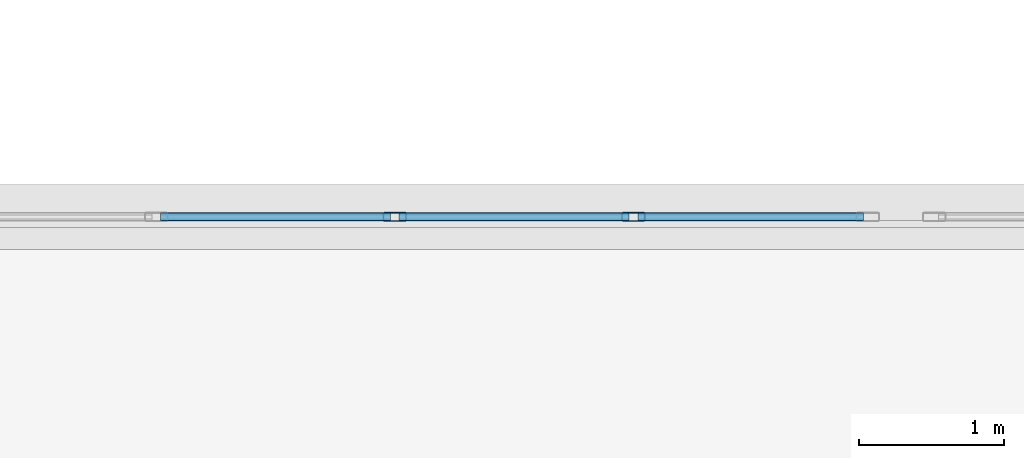
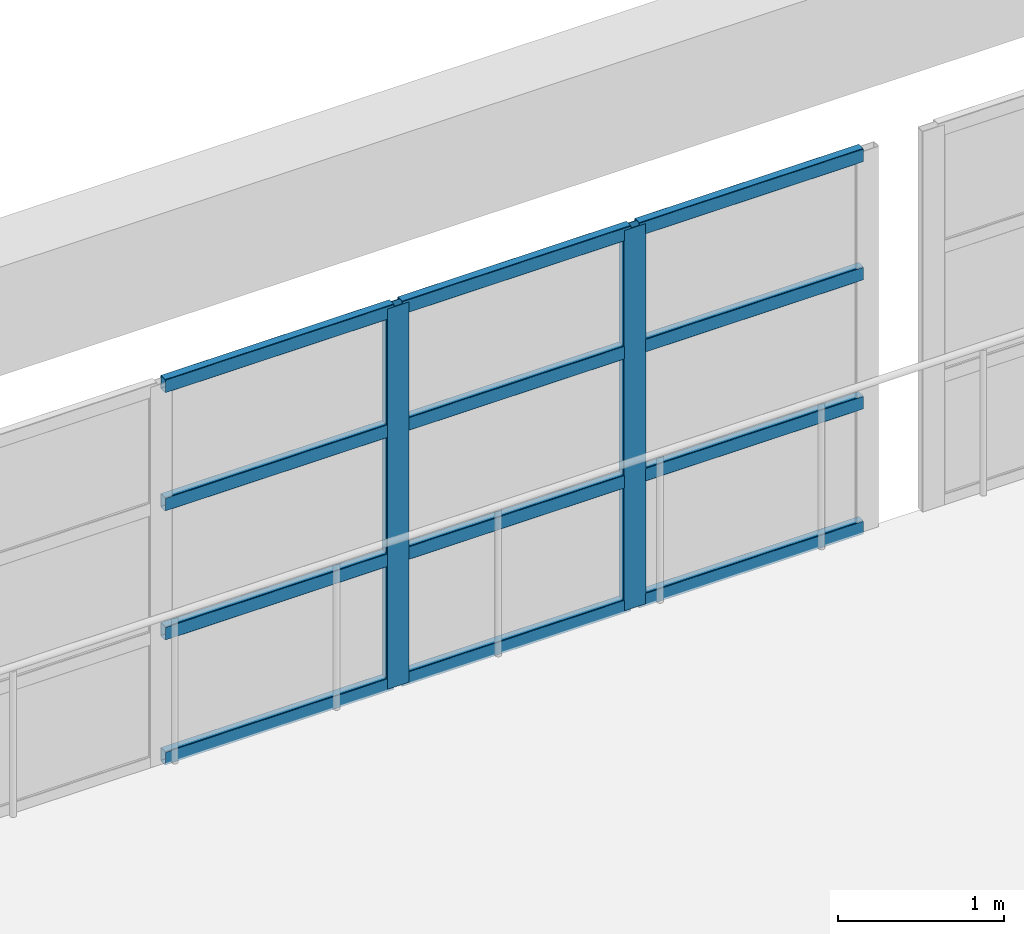
# One storey, part 31 of 101: 14 members, 1 element without a shape of its own.
"""IFC4 building model written with IfcOpenShell, lengths in metres."""

import ifcopenshell
import ifcopenshell.guid

model = None  # the IFC model being written
_history = None  # IfcOwnerHistory: only IFC2X3 demands one
_inside = {}  # id of a spatial element -> (the spatial element, [elements in it])
_under = {}  # id of a project, library or spatial element -> (it, [spatial elements below it])
_declared = {}  # id of a project -> (the project, [libraries it declares])
_typed = {}  # id of a type object -> (the type object, [elements of that type])
_made_of = {}  # id of a material, layer set ... -> (it, [elements and type objects made of it])


def new_model(schema):
    """Start an empty IFC model of exactly this schema.

    Asked for "IFC4X3", IfcOpenShell would pick the latest addendum, in which some entities
    have other attributes; the version numbers below select the first issue.
    IFC2X3 requires an IfcOwnerHistory on every rooted entity: one is made here for all.
    """
    global model, _history
    if schema == "IFC4X3":
        model = ifcopenshell.file(schema_version=(4, 3, 0, 0))
    else:
        model = ifcopenshell.file(schema=schema)
    _inside.clear()
    _under.clear()
    _declared.clear()
    _typed.clear()
    _made_of.clear()
    _history = None
    if model.schema == "IFC2X3":
        org = make("IfcOrganization", Name="unknown")
        user = make(
            "IfcPersonAndOrganization",
            ThePerson=make("IfcPerson", FamilyName="unknown"),
            TheOrganization=org,
        )
        app = make(
            "IfcApplication",
            ApplicationDeveloper=org,
            Version="unknown",
            ApplicationFullName="unknown",
            ApplicationIdentifier="unknown",
        )
        _history = make(
            "IfcOwnerHistory",
            OwningUser=user,
            OwningApplication=app,
            ChangeAction="ADDED",
            CreationDate=0,
        )
    return model


def make(cls, **values):
    """One entity of the class cls with the attributes given. An attribute that is None is left unset."""
    return model.create_entity(
        cls, **{name: value for name, value in values.items() if value is not None}
    )


def rooted(cls, **values):
    """An entity with a GlobalId (a new one), such as an element, a storey or a relation."""
    return make(cls, GlobalId=ifcopenshell.guid.new(), OwnerHistory=_history, **values)


def si_unit(unit_type, name, prefix=None):
    """IfcSIUnit, for example si_unit("LENGTHUNIT", "METRE", prefix="MILLI")."""
    return make("IfcSIUnit", UnitType=unit_type, Prefix=prefix, Name=name)


def assignment(units):
    """IfcUnitAssignment: the units of a project."""
    return None if units is None else make("IfcUnitAssignment", Units=units)


def point(xyz):
    """IfcCartesianPoint."""
    return None if xyz is None else make("IfcCartesianPoint", Coordinates=xyz)


def direction(xyz):
    """IfcDirection."""
    return None if xyz is None else make("IfcDirection", DirectionRatios=xyz)


def frame(location, z_axis=None, x_axis=None):
    """IfcAxis2Placement3D, a coordinate frame: its origin and axes. An axis left out is left unset."""
    return make(
        "IfcAxis2Placement3D",
        Location=point(location),
        Axis=direction(z_axis),
        RefDirection=direction(x_axis),
    )


def frame_2d(location, x_axis=None):
    """IfcAxis2Placement2D, a coordinate frame in the plane: its origin and x axis."""
    return make(
        "IfcAxis2Placement2D", Location=point(location), RefDirection=direction(x_axis)
    )


def origin():
    """The frame at (0, 0, 0) with its axes left unset."""
    return frame((0.0, 0.0, 0.0))


def origin_2d():
    """The frame at (0, 0) in the plane with its x axis left unset."""
    return frame_2d((0.0, 0.0))


def place(relative_to, where):
    """IfcLocalPlacement: puts the frame where relative to a parent placement (None: the world)."""
    return make(
        "IfcLocalPlacement", PlacementRelTo=relative_to, RelativePlacement=where
    )


def context(
    kind, dimensions, precision=None, world=None, true_north=None, identifier=None
):
    """IfcGeometricRepresentationContext, for example the 3D "Model" context."""
    return make(
        "IfcGeometricRepresentationContext",
        ContextIdentifier=identifier,
        ContextType=kind,
        CoordinateSpaceDimension=dimensions,
        Precision=precision,
        WorldCoordinateSystem=world,
        TrueNorth=true_north,
    )


def subcontext(parent, identifier, kind, view, scale=None):
    """IfcGeometricRepresentationSubContext, for example "Body" below "Model"."""
    return make(
        "IfcGeometricRepresentationSubContext",
        ContextIdentifier=identifier,
        ContextType=kind,
        ParentContext=parent,
        TargetScale=scale,
        TargetView=view,
    )


def project(units=None, contexts=None):
    """IfcProject with its units and contexts."""
    return rooted(
        "IfcProject",
        Name="project",
        RepresentationContexts=contexts,
        UnitsInContext=assignment(units),
    )


def spatial(cls, under=None, at=None, **own):
    """A site, building, storey or space (cls), placed at a placement, below another one or the project."""
    s = rooted(cls, ObjectPlacement=at, **own)
    if under is not None:
        _under.setdefault(under.id(), (under, []))[1].append(s)
    return s


def profile(cls, at=None, kind="AREA", **sizes):
    """A parametric profile (cls). Its sizes go by their IFC names, for example OverallWidth=200.0."""
    return make(cls, ProfileType=kind, Position=at, **sizes)


def hollow_rectangle(**sizes):
    """IfcRectangleHollowProfileDef."""
    return profile("IfcRectangleHollowProfileDef", **sizes)


def extrude(swept, where, along, depth):
    """IfcExtrudedAreaSolid: the profile swept, set in the frame where, extruded along a direction by depth."""
    return make(
        "IfcExtrudedAreaSolid",
        SweptArea=swept,
        Position=where,
        ExtrudedDirection=direction(along),
        Depth=depth,
    )


def shape(context_of_items, identifier, shape_type, items):
    """IfcShapeRepresentation: the items that make up one representation, for example the "Body"."""
    return make(
        "IfcShapeRepresentation",
        ContextOfItems=context_of_items,
        RepresentationIdentifier=identifier,
        RepresentationType=shape_type,
        Items=items,
    )


def material(Name=None, Category=None):
    """IfcMaterial."""
    return make("IfcMaterial", Name=Name, Category=Category)


def material_profile(
    of_material, cross_section, Name=None, Category=None, Priority=None
):
    """IfcMaterialProfile: a cross section and its material."""
    return make(
        "IfcMaterialProfile",
        Name=Name,
        Material=of_material,
        Profile=cross_section,
        Priority=Priority,
        Category=Category,
    )


def profile_set(profiles, Name=None, composite=None):
    """IfcMaterialProfileSet."""
    return make(
        "IfcMaterialProfileSet",
        Name=Name,
        MaterialProfiles=profiles,
        CompositeProfile=composite,
    )


def made_of(thing, what):
    """Note that an element or type object is made of a material, layer set ...; save() writes the relation."""
    if what is not None:
        _made_of.setdefault(what.id(), (what, []))[1].append(thing)
    return thing


def type_object(cls, material=None, **own):
    """A type object (cls), such as IfcWallType, which elements share."""
    return made_of(rooted(cls, **own), material)


def element(
    cls,
    number,
    at=None,
    inside=None,
    cuts=None,
    type_object=None,
    material=None,
    context=None,
    identifier="Body",
    shape_type=None,
    held_by="IfcProductDefinitionShape",
    body=None,
    shapes=None,
    **own,
):
    """One element of the class cls, such as IfcWall. Its Tag is "e" and its number.

    at: its placement. inside: the storey or other place that contains it. cuts: it is an
    opening in that element (IfcRelVoidsElement). A single representation is given by context,
    identifier, shape_type and body (its items); several are given by shapes. held_by: the class
    of the entity that holds the representations. save() writes the other relations.
    """
    e = rooted(cls, Tag="e%d" % number, ObjectPlacement=at, **own)
    if body is not None:
        shapes = [shape(context, identifier, shape_type, body)]
    if shapes is not None:
        e.Representation = make(held_by, Representations=shapes)
    if inside is not None:
        _inside.setdefault(inside.id(), (inside, []))[1].append(e)
    if cuts is not None:
        rooted(
            "IfcRelVoidsElement", RelatingBuildingElement=cuts, RelatedOpeningElement=e
        )
    if type_object is not None:
        _typed.setdefault(type_object.id(), (type_object, []))[1].append(e)
    return made_of(e, material)


def aggregate(whole, parts):
    """IfcRelAggregates: a whole, such as a stair, and the parts it consists of."""
    return rooted("IfcRelAggregates", RelatingObject=whole, RelatedObjects=parts)


def save(model, path):
    """Write the relations noted so far, then the file.

    IfcRelAggregates (storeys below a building ...), IfcRelContainedInSpatialStructure (elements
    in a storey), IfcRelDefinesByType, IfcRelAssociatesMaterial and IfcRelDeclares: one each for
    every whole, place, type object, material and project.
    """
    for whole, parts in _under.values():
        aggregate(whole, parts)
    for where, things in _inside.values():
        rooted(
            "IfcRelContainedInSpatialStructure",
            RelatedElements=things,
            RelatingStructure=where,
        )
    for kind, things in _typed.values():
        rooted("IfcRelDefinesByType", RelatedObjects=things, RelatingType=kind)
    for what, things in _made_of.values():
        rooted("IfcRelAssociatesMaterial", RelatedObjects=things, RelatingMaterial=what)
    for by, libraries in _declared.values():
        rooted("IfcRelDeclares", RelatingContext=by, RelatedDefinitions=libraries)
    model.write(path)


model = new_model("IFC4")

# Units and contexts
model_context = context("Model", 3, precision=1e-05, world=origin(), true_north=direction((0.0, 1.0)))
body_context = subcontext(model_context, "Body", "Model", "MODEL_VIEW")
ifc_project = project(units=[si_unit("LENGTHUNIT", "METRE"), si_unit("AREAUNIT", "SQUARE_METRE"), si_unit("VOLUMEUNIT", "CUBIC_METRE"), si_unit("PLANEANGLEUNIT", "RADIAN"), si_unit("MASSUNIT", "GRAM", prefix="KILO")], contexts=[model_context])

# Site, building, storey
site_placement = place(None, origin())
site = spatial("IfcSite", under=ifc_project, at=site_placement, CompositionType="ELEMENT")
building_placement = place(site_placement, origin())
building = spatial("IfcBuilding", under=site, at=building_placement, Name="Qasida Concert Hall", CompositionType="ELEMENT")
storey_placement = place(building_placement, frame((0.0, 0.0, 13.199951171875)))
storey = spatial("IfcBuildingStorey", under=building, at=storey_placement, Name="L03", CompositionType="ELEMENT", Elevation=13.199951171875)

# Curtain wall, members
ifc_material_1 = material(Name="Architectural bronze-anodized aluminium and low-E glass", Category="aluminium")
curtain_wall_type = type_object("IfcCurtainWallType", Name="CW-09", PredefinedType="NOTDEFINED", material=ifc_material_1)
curtain_wall_placement = place(storey_placement, origin())
curtain_wall = element("IfcCurtainWall", 1, at=curtain_wall_placement, inside=storey, type_object=curtain_wall_type, Name="L03 link bridge glazing 0207", PredefinedType="NOTDEFINED")
ifc_material_2 = material(Name="Architectural bronze-anodized aluminium EN AW-6063", Category="aluminium")
ifc_material_profile_1 = material_profile(ifc_material_2, hollow_rectangle(XDim=0.06005859375, YDim=0.159912109375, WallThickness=0.00390625, InnerFilletRadius=0.00390625, OuterFilletRadius=0.008056640625, at=origin_2d()), Name="CWM 160x60x4")
ifc_profile_set_1 = profile_set([ifc_material_profile_1], Name="Architectural bronze-anodized aluminium EN AW-6063")
member_type_1 = type_object("IfcMemberType", Name="MB-CWM-3", PredefinedType="MULLION", material=ifc_profile_set_1)
member_1_placement = place(storey_placement, frame((41.5, 37.5, 0.0), z_axis=(0.0, 0.0, 1.0), x_axis=(0.0, 1.0, 0.0)))
member_1 = element("IfcMember", 2, at=member_1_placement, type_object=member_type_1, Name="CW-09 mullion 3", PredefinedType="MULLION", context=body_context, shape_type="SweptSolid", body=[
    extrude(hollow_rectangle(XDim=0.06005859375, YDim=0.159912109375, WallThickness=0.00390625, InnerFilletRadius=0.00390625, OuterFilletRadius=0.008056640625, at=origin_2d()), origin(), (0.0, 0.0, 1.0), 2.800048828125),
])
member_2_placement = place(storey_placement, frame((43.14990234375, 37.5, 0.0), z_axis=(0.0, 0.0, 1.0), x_axis=(0.0, 1.0, 0.0)))
member_2 = element("IfcMember", 3, at=member_2_placement, type_object=member_type_1, Name="CW-09 mullion 4", PredefinedType="MULLION", context=body_context, shape_type="SweptSolid", body=[
    extrude(hollow_rectangle(XDim=0.06005859375, YDim=0.159912109375, WallThickness=0.00390625, InnerFilletRadius=0.00390625, OuterFilletRadius=0.008056640625, at=origin_2d()), origin(), (0.0, 0.0, 1.0), 2.800048828125),
])
ifc_material_profile_2 = material_profile(ifc_material_2, hollow_rectangle(XDim=0.06005859375, YDim=0.10009765625, WallThickness=0.00341796875, InnerFilletRadius=0.00341796875, OuterFilletRadius=0.007080078125, at=origin_2d()), Name="CWT 100x60x3.5")
ifc_profile_set_2 = profile_set([ifc_material_profile_2], Name="Architectural bronze-anodized aluminium EN AW-6063")
member_type_2 = type_object("IfcMemberType", Name="MB-CWT-3", PredefinedType="USERDEFINED", material=ifc_profile_set_2)
member_3_placement = place(storey_placement, frame((39.8798828125, 37.5, 0.030029296875), z_axis=(1.0, 0.0, 0.0), x_axis=(0.0, 1.0, 0.0)))
member_3 = element("IfcMember", 4, at=member_3_placement, type_object=member_type_2, Name="CW-09 transom 2.1", ObjectType="TRANSOM", PredefinedType="USERDEFINED", context=body_context, shape_type="SweptSolid", body=[
    extrude(hollow_rectangle(XDim=0.06005859375, YDim=0.10009765625, WallThickness=0.00341796875, InnerFilletRadius=0.00341796875, OuterFilletRadius=0.007080078125, at=origin_2d()), origin(), (0.0, 0.0, 1.0), 1.590087890625),
])
member_4_placement = place(storey_placement, frame((39.8798828125, 37.5, 0.949951171875), z_axis=(1.0, 0.0, 0.0), x_axis=(0.0, 1.0, 0.0)))
member_4 = element("IfcMember", 5, at=member_4_placement, type_object=member_type_2, Name="CW-09 transom 2.2", ObjectType="TRANSOM", PredefinedType="USERDEFINED", context=body_context, shape_type="SweptSolid", body=[
    extrude(hollow_rectangle(XDim=0.06005859375, YDim=0.10009765625, WallThickness=0.00341796875, InnerFilletRadius=0.00341796875, OuterFilletRadius=0.007080078125, at=origin_2d()), origin(), (0.0, 0.0, 1.0), 1.590087890625),
])
member_5_placement = place(storey_placement, frame((39.8798828125, 37.5, 1.900146484375), z_axis=(1.0, 0.0, 0.0), x_axis=(0.0, 1.0, 0.0)))
member_5 = element("IfcMember", 6, at=member_5_placement, type_object=member_type_2, Name="CW-09 transom 2.3", ObjectType="TRANSOM", PredefinedType="USERDEFINED", context=body_context, shape_type="SweptSolid", body=[
    extrude(hollow_rectangle(XDim=0.06005859375, YDim=0.10009765625, WallThickness=0.00341796875, InnerFilletRadius=0.00341796875, OuterFilletRadius=0.007080078125, at=origin_2d()), origin(), (0.0, 0.0, 1.0), 1.590087890625),
])
member_6_placement = place(storey_placement, frame((39.8798828125, 37.5, 2.77001953125), z_axis=(1.0, 0.0, 0.0), x_axis=(0.0, 1.0, 0.0)))
member_6 = element("IfcMember", 7, at=member_6_placement, type_object=member_type_2, Name="CW-09 transom 2.4", ObjectType="TRANSOM", PredefinedType="USERDEFINED", context=body_context, shape_type="SweptSolid", body=[
    extrude(hollow_rectangle(XDim=0.06005859375, YDim=0.10009765625, WallThickness=0.00341796875, InnerFilletRadius=0.00341796875, OuterFilletRadius=0.007080078125, at=origin_2d()), origin(), (0.0, 0.0, 1.0), 1.590087890625),
])
member_7_placement = place(storey_placement, frame((41.530029296875, 37.5, 0.030029296875), z_axis=(1.0, 0.0, 0.0), x_axis=(0.0, 1.0, 0.0)))
member_7 = element("IfcMember", 8, at=member_7_placement, type_object=member_type_2, Name="CW-09 transom 3.1", ObjectType="TRANSOM", PredefinedType="USERDEFINED", context=body_context, shape_type="SweptSolid", body=[
    extrude(hollow_rectangle(XDim=0.06005859375, YDim=0.10009765625, WallThickness=0.00341796875, InnerFilletRadius=0.00341796875, OuterFilletRadius=0.007080078125, at=origin_2d()), origin(), (0.0, 0.0, 1.0), 1.590087890625),
])
member_8_placement = place(storey_placement, frame((41.530029296875, 37.5, 0.949951171875), z_axis=(1.0, 0.0, 0.0), x_axis=(0.0, 1.0, 0.0)))
member_8 = element("IfcMember", 9, at=member_8_placement, type_object=member_type_2, Name="CW-09 transom 3.2", ObjectType="TRANSOM", PredefinedType="USERDEFINED", context=body_context, shape_type="SweptSolid", body=[
    extrude(hollow_rectangle(XDim=0.06005859375, YDim=0.10009765625, WallThickness=0.00341796875, InnerFilletRadius=0.00341796875, OuterFilletRadius=0.007080078125, at=origin_2d()), origin(), (0.0, 0.0, 1.0), 1.590087890625),
])
member_9_placement = place(storey_placement, frame((41.530029296875, 37.5, 1.900146484375), z_axis=(1.0, 0.0, 0.0), x_axis=(0.0, 1.0, 0.0)))
member_9 = element("IfcMember", 10, at=member_9_placement, type_object=member_type_2, Name="CW-09 transom 3.3", ObjectType="TRANSOM", PredefinedType="USERDEFINED", context=body_context, shape_type="SweptSolid", body=[
    extrude(hollow_rectangle(XDim=0.06005859375, YDim=0.10009765625, WallThickness=0.00341796875, InnerFilletRadius=0.00341796875, OuterFilletRadius=0.007080078125, at=origin_2d()), origin(), (0.0, 0.0, 1.0), 1.590087890625),
])
member_10_placement = place(storey_placement, frame((41.530029296875, 37.5, 2.77001953125), z_axis=(1.0, 0.0, 0.0), x_axis=(0.0, 1.0, 0.0)))
member_10 = element("IfcMember", 11, at=member_10_placement, type_object=member_type_2, Name="CW-09 transom 3.4", ObjectType="TRANSOM", PredefinedType="USERDEFINED", context=body_context, shape_type="SweptSolid", body=[
    extrude(hollow_rectangle(XDim=0.06005859375, YDim=0.10009765625, WallThickness=0.00341796875, InnerFilletRadius=0.00341796875, OuterFilletRadius=0.007080078125, at=origin_2d()), origin(), (0.0, 0.0, 1.0), 1.590087890625),
])
member_11_placement = place(storey_placement, frame((43.179931640625, 37.5, 0.030029296875), z_axis=(1.0, 0.0, 0.0), x_axis=(0.0, 1.0, 0.0)))
member_11 = element("IfcMember", 12, at=member_11_placement, type_object=member_type_2, Name="CW-09 transom 4.1", ObjectType="TRANSOM", PredefinedType="USERDEFINED", context=body_context, shape_type="SweptSolid", body=[
    extrude(hollow_rectangle(XDim=0.06005859375, YDim=0.10009765625, WallThickness=0.00341796875, InnerFilletRadius=0.00341796875, OuterFilletRadius=0.007080078125, at=origin_2d()), origin(), (0.0, 0.0, 1.0), 1.56005859375),
])
member_12_placement = place(storey_placement, frame((43.179931640625, 37.5, 0.949951171875), z_axis=(1.0, 0.0, 0.0), x_axis=(0.0, 1.0, 0.0)))
member_12 = element("IfcMember", 13, at=member_12_placement, type_object=member_type_2, Name="CW-09 transom 4.2", ObjectType="TRANSOM", PredefinedType="USERDEFINED", context=body_context, shape_type="SweptSolid", body=[
    extrude(hollow_rectangle(XDim=0.06005859375, YDim=0.10009765625, WallThickness=0.00341796875, InnerFilletRadius=0.00341796875, OuterFilletRadius=0.007080078125, at=origin_2d()), origin(), (0.0, 0.0, 1.0), 1.56005859375),
])
member_13_placement = place(storey_placement, frame((43.179931640625, 37.5, 1.900146484375), z_axis=(1.0, 0.0, 0.0), x_axis=(0.0, 1.0, 0.0)))
member_13 = element("IfcMember", 14, at=member_13_placement, type_object=member_type_2, Name="CW-09 transom 4.3", ObjectType="TRANSOM", PredefinedType="USERDEFINED", context=body_context, shape_type="SweptSolid", body=[
    extrude(hollow_rectangle(XDim=0.06005859375, YDim=0.10009765625, WallThickness=0.00341796875, InnerFilletRadius=0.00341796875, OuterFilletRadius=0.007080078125, at=origin_2d()), origin(), (0.0, 0.0, 1.0), 1.56005859375),
])
member_14_placement = place(storey_placement, frame((43.179931640625, 37.5, 2.77001953125), z_axis=(1.0, 0.0, 0.0), x_axis=(0.0, 1.0, 0.0)))
member_14 = element("IfcMember", 15, at=member_14_placement, type_object=member_type_2, Name="CW-09 transom 4.4", ObjectType="TRANSOM", PredefinedType="USERDEFINED", context=body_context, shape_type="SweptSolid", body=[
    extrude(hollow_rectangle(XDim=0.06005859375, YDim=0.10009765625, WallThickness=0.00341796875, InnerFilletRadius=0.00341796875, OuterFilletRadius=0.007080078125, at=origin_2d()), origin(), (0.0, 0.0, 1.0), 1.56005859375),
])
aggregate(curtain_wall, [member_1, member_2, member_3, member_4, member_5, member_6, member_7, member_8, member_9, member_10, member_11, member_12, member_13, member_14])

save(model, "model.ifc")
